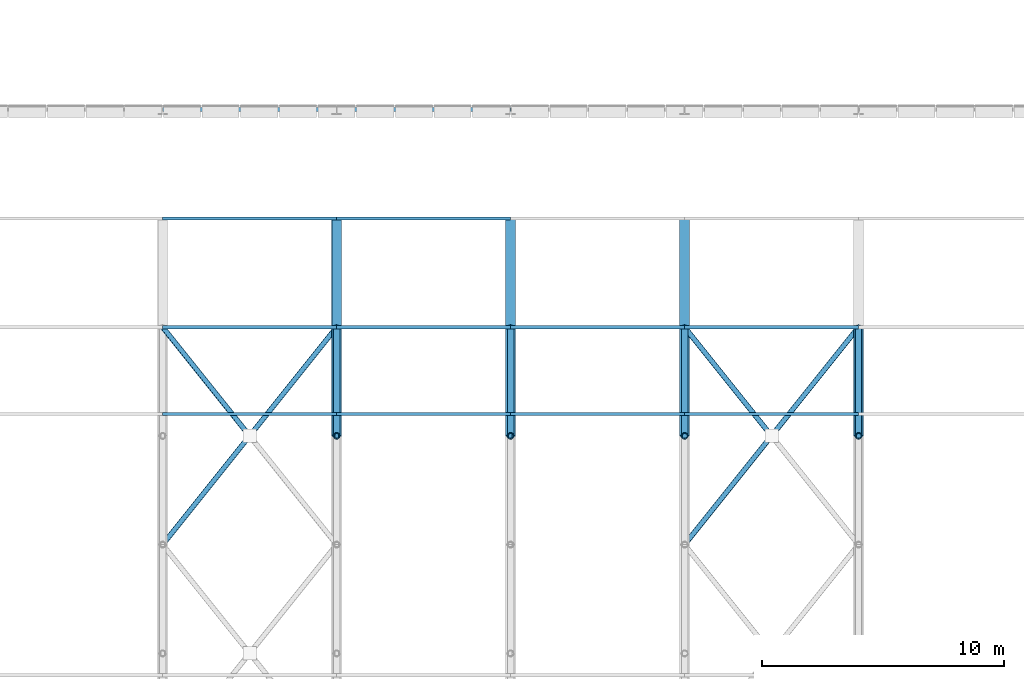
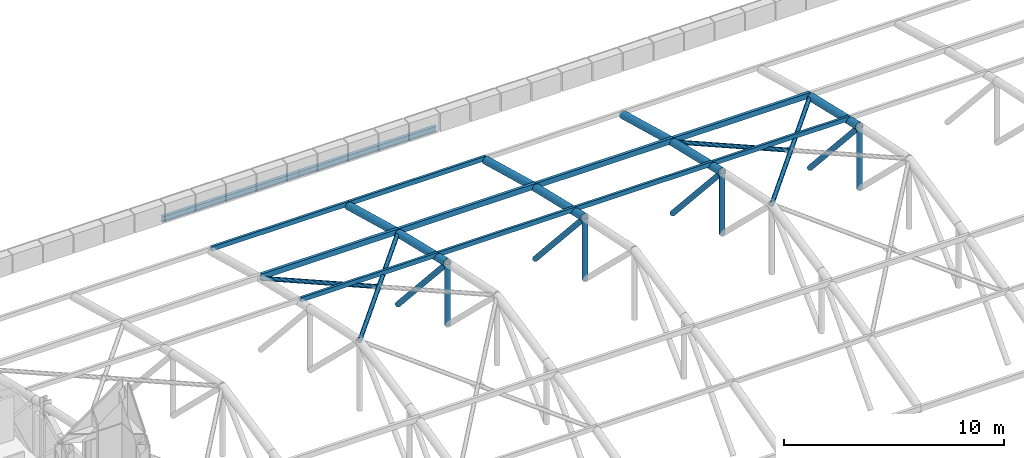
# One storey, part 29 of 96: 29 members, 2 beams.
"""IFC4 building model written with IfcOpenShell, lengths in metres."""

import ifcopenshell
import ifcopenshell.guid

model = None  # the IFC model being written
_history = None  # IfcOwnerHistory: only IFC2X3 demands one
_inside = {}  # id of a spatial element -> (the spatial element, [elements in it])
_under = {}  # id of a project, library or spatial element -> (it, [spatial elements below it])
_declared = {}  # id of a project -> (the project, [libraries it declares])
_typed = {}  # id of a type object -> (the type object, [elements of that type])
_made_of = {}  # id of a material, layer set ... -> (it, [elements and type objects made of it])


def new_model(schema):
    """Start an empty IFC model of exactly this schema.

    Asked for "IFC4X3", IfcOpenShell would pick the latest addendum, in which some entities
    have other attributes; the version numbers below select the first issue.
    IFC2X3 requires an IfcOwnerHistory on every rooted entity: one is made here for all.
    """
    global model, _history
    if schema == "IFC4X3":
        model = ifcopenshell.file(schema_version=(4, 3, 0, 0))
    else:
        model = ifcopenshell.file(schema=schema)
    _inside.clear()
    _under.clear()
    _declared.clear()
    _typed.clear()
    _made_of.clear()
    _history = None
    if model.schema == "IFC2X3":
        org = make("IfcOrganization", Name="unknown")
        user = make(
            "IfcPersonAndOrganization",
            ThePerson=make("IfcPerson", FamilyName="unknown"),
            TheOrganization=org,
        )
        app = make(
            "IfcApplication",
            ApplicationDeveloper=org,
            Version="unknown",
            ApplicationFullName="unknown",
            ApplicationIdentifier="unknown",
        )
        _history = make(
            "IfcOwnerHistory",
            OwningUser=user,
            OwningApplication=app,
            ChangeAction="ADDED",
            CreationDate=0,
        )
    return model


def make(cls, **values):
    """One entity of the class cls with the attributes given. An attribute that is None is left unset."""
    return model.create_entity(
        cls, **{name: value for name, value in values.items() if value is not None}
    )


def rooted(cls, **values):
    """An entity with a GlobalId (a new one), such as an element, a storey or a relation."""
    return make(cls, GlobalId=ifcopenshell.guid.new(), OwnerHistory=_history, **values)


def si_unit(unit_type, name, prefix=None):
    """IfcSIUnit, for example si_unit("LENGTHUNIT", "METRE", prefix="MILLI")."""
    return make("IfcSIUnit", UnitType=unit_type, Prefix=prefix, Name=name)


def assignment(units):
    """IfcUnitAssignment: the units of a project."""
    return None if units is None else make("IfcUnitAssignment", Units=units)


def point(xyz):
    """IfcCartesianPoint."""
    return None if xyz is None else make("IfcCartesianPoint", Coordinates=xyz)


def direction(xyz):
    """IfcDirection."""
    return None if xyz is None else make("IfcDirection", DirectionRatios=xyz)


def frame(location, z_axis=None, x_axis=None):
    """IfcAxis2Placement3D, a coordinate frame: its origin and axes. An axis left out is left unset."""
    return make(
        "IfcAxis2Placement3D",
        Location=point(location),
        Axis=direction(z_axis),
        RefDirection=direction(x_axis),
    )


def frame_2d(location, x_axis=None):
    """IfcAxis2Placement2D, a coordinate frame in the plane: its origin and x axis."""
    return make(
        "IfcAxis2Placement2D", Location=point(location), RefDirection=direction(x_axis)
    )


def origin():
    """The frame at (0, 0, 0) with its axes left unset."""
    return frame((0.0, 0.0, 0.0))


def origin_2d():
    """The frame at (0, 0) in the plane with its x axis left unset."""
    return frame_2d((0.0, 0.0))


def place(relative_to, where):
    """IfcLocalPlacement: puts the frame where relative to a parent placement (None: the world)."""
    return make(
        "IfcLocalPlacement", PlacementRelTo=relative_to, RelativePlacement=where
    )


def context(
    kind, dimensions, precision=None, world=None, true_north=None, identifier=None
):
    """IfcGeometricRepresentationContext, for example the 3D "Model" context."""
    return make(
        "IfcGeometricRepresentationContext",
        ContextIdentifier=identifier,
        ContextType=kind,
        CoordinateSpaceDimension=dimensions,
        Precision=precision,
        WorldCoordinateSystem=world,
        TrueNorth=true_north,
    )


def subcontext(parent, identifier, kind, view, scale=None):
    """IfcGeometricRepresentationSubContext, for example "Body" below "Model"."""
    return make(
        "IfcGeometricRepresentationSubContext",
        ContextIdentifier=identifier,
        ContextType=kind,
        ParentContext=parent,
        TargetScale=scale,
        TargetView=view,
    )


def project(units=None, contexts=None):
    """IfcProject with its units and contexts."""
    return rooted(
        "IfcProject",
        Name="project",
        RepresentationContexts=contexts,
        UnitsInContext=assignment(units),
    )


def spatial(cls, under=None, at=None, **own):
    """A site, building, storey or space (cls), placed at a placement, below another one or the project."""
    s = rooted(cls, ObjectPlacement=at, **own)
    if under is not None:
        _under.setdefault(under.id(), (under, []))[1].append(s)
    return s


def profile(cls, at=None, kind="AREA", **sizes):
    """A parametric profile (cls). Its sizes go by their IFC names, for example OverallWidth=200.0."""
    return make(cls, ProfileType=kind, Position=at, **sizes)


def hollow_rectangle(**sizes):
    """IfcRectangleHollowProfileDef."""
    return profile("IfcRectangleHollowProfileDef", **sizes)


def hollow_circle(**sizes):
    """IfcCircleHollowProfileDef."""
    return profile("IfcCircleHollowProfileDef", **sizes)


def i_section(**sizes):
    """IfcIShapeProfileDef."""
    return profile("IfcIShapeProfileDef", **sizes)


def extrude(swept, where, along, depth):
    """IfcExtrudedAreaSolid: the profile swept, set in the frame where, extruded along a direction by depth."""
    return make(
        "IfcExtrudedAreaSolid",
        SweptArea=swept,
        Position=where,
        ExtrudedDirection=direction(along),
        Depth=depth,
    )


def shape(context_of_items, identifier, shape_type, items):
    """IfcShapeRepresentation: the items that make up one representation, for example the "Body"."""
    return make(
        "IfcShapeRepresentation",
        ContextOfItems=context_of_items,
        RepresentationIdentifier=identifier,
        RepresentationType=shape_type,
        Items=items,
    )


def material(Name=None, Category=None):
    """IfcMaterial."""
    return make("IfcMaterial", Name=Name, Category=Category)


def material_profile(
    of_material, cross_section, Name=None, Category=None, Priority=None
):
    """IfcMaterialProfile: a cross section and its material."""
    return make(
        "IfcMaterialProfile",
        Name=Name,
        Material=of_material,
        Profile=cross_section,
        Priority=Priority,
        Category=Category,
    )


def profile_set(profiles, Name=None, composite=None):
    """IfcMaterialProfileSet."""
    return make(
        "IfcMaterialProfileSet",
        Name=Name,
        MaterialProfiles=profiles,
        CompositeProfile=composite,
    )


def made_of(thing, what):
    """Note that an element or type object is made of a material, layer set ...; save() writes the relation."""
    if what is not None:
        _made_of.setdefault(what.id(), (what, []))[1].append(thing)
    return thing


def type_object(cls, material=None, **own):
    """A type object (cls), such as IfcWallType, which elements share."""
    return made_of(rooted(cls, **own), material)


def element(
    cls,
    number,
    at=None,
    inside=None,
    cuts=None,
    type_object=None,
    material=None,
    context=None,
    identifier="Body",
    shape_type=None,
    held_by="IfcProductDefinitionShape",
    body=None,
    shapes=None,
    **own,
):
    """One element of the class cls, such as IfcWall. Its Tag is "e" and its number.

    at: its placement. inside: the storey or other place that contains it. cuts: it is an
    opening in that element (IfcRelVoidsElement). A single representation is given by context,
    identifier, shape_type and body (its items); several are given by shapes. held_by: the class
    of the entity that holds the representations. save() writes the other relations.
    """
    e = rooted(cls, Tag="e%d" % number, ObjectPlacement=at, **own)
    if body is not None:
        shapes = [shape(context, identifier, shape_type, body)]
    if shapes is not None:
        e.Representation = make(held_by, Representations=shapes)
    if inside is not None:
        _inside.setdefault(inside.id(), (inside, []))[1].append(e)
    if cuts is not None:
        rooted(
            "IfcRelVoidsElement", RelatingBuildingElement=cuts, RelatedOpeningElement=e
        )
    if type_object is not None:
        _typed.setdefault(type_object.id(), (type_object, []))[1].append(e)
    return made_of(e, material)


def aggregate(whole, parts):
    """IfcRelAggregates: a whole, such as a stair, and the parts it consists of."""
    return rooted("IfcRelAggregates", RelatingObject=whole, RelatedObjects=parts)


def save(model, path):
    """Write the relations noted so far, then the file.

    IfcRelAggregates (storeys below a building ...), IfcRelContainedInSpatialStructure (elements
    in a storey), IfcRelDefinesByType, IfcRelAssociatesMaterial and IfcRelDeclares: one each for
    every whole, place, type object, material and project.
    """
    for whole, parts in _under.values():
        aggregate(whole, parts)
    for where, things in _inside.values():
        rooted(
            "IfcRelContainedInSpatialStructure",
            RelatedElements=things,
            RelatingStructure=where,
        )
    for kind, things in _typed.values():
        rooted("IfcRelDefinesByType", RelatedObjects=things, RelatingType=kind)
    for what, things in _made_of.values():
        rooted("IfcRelAssociatesMaterial", RelatedObjects=things, RelatingMaterial=what)
    for by, libraries in _declared.values():
        rooted("IfcRelDeclares", RelatingContext=by, RelatedDefinitions=libraries)
    model.write(path)


model = new_model("IFC4")

# Units and contexts
model_context = context("Model", 3, precision=1e-05, world=origin(), true_north=direction((0.0, 1.0)))
body_context = subcontext(model_context, "Body", "Model", "MODEL_VIEW")
ifc_project = project(units=[si_unit("LENGTHUNIT", "METRE"), si_unit("AREAUNIT", "SQUARE_METRE"), si_unit("VOLUMEUNIT", "CUBIC_METRE"), si_unit("PLANEANGLEUNIT", "RADIAN"), si_unit("MASSUNIT", "GRAM", prefix="KILO")], contexts=[model_context])

# Site, building, storey
site_placement = place(None, origin())
site = spatial("IfcSite", under=ifc_project, at=site_placement, CompositionType="ELEMENT")
building_placement = place(site_placement, origin())
building = spatial("IfcBuilding", under=site, at=building_placement, Name="Yarey Park Central Fire Station", CompositionType="ELEMENT")
storey_placement = place(building_placement, frame((0.0, 0.0, 14.39990234375)))
storey = spatial("IfcBuildingStorey", under=building, at=storey_placement, Name="L04", CompositionType="ELEMENT", Elevation=14.39990234375)

# Members
ifc_material_1 = material(Name="Steel ASTM A500 Gr. C", Category="steel")
ifc_material_profile_1 = material_profile(ifc_material_1, hollow_circle(Radius=0.109619140625, WallThickness=0.010009765625, at=origin_2d()), Name="CHS 219.1x10")
ifc_profile_set_1 = profile_set([ifc_material_profile_1], Name="Steel ASTM A500 Gr. C")
member_type_1 = type_object("IfcMemberType", Name="STR_BRC_CHS219", PredefinedType="BRACE", material=ifc_profile_set_1)
member_1_placement = place(storey_placement, frame((72.0, 75.60009765625, 3.93603515625), z_axis=(0.615531741105, 0.769419894344, -0.170627377286), x_axis=(-0.780870876022, 0.624692464322, 0.0)))
element("IfcMember", 1, at=member_1_placement, inside=storey, type_object=member_type_1, Name="XBR_ARCH_B03_75_1", PredefinedType="BRACE", context=body_context, shape_type="SweptSolid", body=[
    extrude(hollow_circle(Radius=0.109619140625, WallThickness=0.010009765625, at=origin_2d()), origin(), (0.0, 0.0, 1.0), 11.697021484375),
])
member_2_placement = place(storey_placement, frame((75.60009765625, 80.10009765625, 2.93798828125), z_axis=(-0.61554689676, 0.769412749293, -0.170604921135), x_axis=(-0.780860543151, -0.624705380279, 0.0)))
element("IfcMember", 2, at=member_2_placement, inside=storey, type_object=member_type_1, Name="XBR_ARCH_B03_75_2B", PredefinedType="BRACE", context=body_context, shape_type="SweptSolid", body=[
    extrude(hollow_circle(Radius=0.109619140625, WallThickness=0.010009765625, at=origin_2d()), origin(), (0.0, 0.0, 1.0), 5.8486328125),
])
member_3_placement = place(storey_placement, frame((93.60009765625, 75.60009765625, 3.93603515625), z_axis=(0.615531741105, 0.769419894344, -0.170627377286), x_axis=(-0.780870876022, 0.624692464322, 0.0)))
element("IfcMember", 3, at=member_3_placement, inside=storey, type_object=member_type_1, Name="XBR_ARCH_B06_75_1", PredefinedType="BRACE", context=body_context, shape_type="SweptSolid", body=[
    extrude(hollow_circle(Radius=0.109619140625, WallThickness=0.010009765625, at=origin_2d()), origin(), (0.0, 0.0, 1.0), 11.697021484375),
])
member_4_placement = place(storey_placement, frame((97.199951171875, 80.10009765625, 2.93798828125), z_axis=(-0.615520968904, 0.76943251942, -0.170609304843), x_axis=(-0.780881208953, -0.624679547852, 0.0)))
element("IfcMember", 4, at=member_4_placement, inside=storey, type_object=member_type_1, Name="XBR_ARCH_B06_75_2B", PredefinedType="BRACE", context=body_context, shape_type="SweptSolid", body=[
    extrude(hollow_circle(Radius=0.109619140625, WallThickness=0.010009765625, at=origin_2d()), origin(), (0.0, 0.0, 1.0), 5.848388671875),
])
ifc_material_profile_2 = material_profile(ifc_material_1, hollow_circle(Radius=0.203125, WallThickness=0.01611328125, at=origin_2d()), Name="CHS 406.4x16")
ifc_profile_set_2 = profile_set([ifc_material_profile_2], Name="Steel ASTM A500 Gr. C")
member_type_2 = type_object("IfcMemberType", Name="STR_CHORD_CHS406", PredefinedType="CHORD", material=ifc_profile_set_2)
member_5_placement = place(storey_placement, frame((79.199951171875, 80.10009765625, 2.99609375), z_axis=(0.0, 0.97355760432, -0.228441657915), x_axis=(-1.0, 0.0, 0.0)))
element("IfcMember", 5, at=member_5_placement, inside=storey, type_object=member_type_2, Name="Arched Roof Truss ART_04 Top Chord 6", PredefinedType="CHORD", context=body_context, shape_type="SweptSolid", body=[
    extrude(hollow_circle(Radius=0.203125, WallThickness=0.01611328125, at=origin_2d()), origin(), (0.0, 0.0, 1.0), 4.622314453125),
])
member_6_placement = place(storey_placement, frame((79.199951171875, 84.60009765625, 1.940185546875), z_axis=(0.0, 0.965014687101, -0.262195830783), x_axis=(-1.0, 0.0, 0.0)))
element("IfcMember", 6, at=member_6_placement, inside=storey, type_object=member_type_2, Name="Arched Roof Truss ART_04 Top Chord 7", PredefinedType="CHORD", context=body_context, shape_type="SweptSolid", body=[
    extrude(hollow_circle(Radius=0.203125, WallThickness=0.01611328125, at=origin_2d()), origin(), (0.0, 0.0, 1.0), 4.6630859375),
])
member_7_placement = place(storey_placement, frame((86.39990234375, 80.10009765625, 2.99609375), z_axis=(0.0, 0.97355760432, -0.228441657915), x_axis=(-1.0, 0.0, 0.0)))
element("IfcMember", 7, at=member_7_placement, inside=storey, type_object=member_type_2, Name="Arched Roof Truss ART_05 Top Chord 6", PredefinedType="CHORD", context=body_context, shape_type="SweptSolid", body=[
    extrude(hollow_circle(Radius=0.203125, WallThickness=0.01611328125, at=origin_2d()), origin(), (0.0, 0.0, 1.0), 4.622314453125),
])
member_8_placement = place(storey_placement, frame((86.39990234375, 84.60009765625, 1.940185546875), z_axis=(0.0, 0.965014687101, -0.262195830783), x_axis=(-1.0, 0.0, 0.0)))
element("IfcMember", 8, at=member_8_placement, inside=storey, type_object=member_type_2, Name="Arched Roof Truss ART_05 Top Chord 7", PredefinedType="CHORD", context=body_context, shape_type="SweptSolid", body=[
    extrude(hollow_circle(Radius=0.203125, WallThickness=0.01611328125, at=origin_2d()), origin(), (0.0, 0.0, 1.0), 4.6630859375),
])
member_9_placement = place(storey_placement, frame((93.60009765625, 80.10009765625, 2.99609375), z_axis=(0.0, 0.97355760432, -0.228441657915), x_axis=(-1.0, 0.0, 0.0)))
element("IfcMember", 9, at=member_9_placement, inside=storey, type_object=member_type_2, Name="Arched Roof Truss ART_06 Top Chord 6", PredefinedType="CHORD", context=body_context, shape_type="SweptSolid", body=[
    extrude(hollow_circle(Radius=0.203125, WallThickness=0.01611328125, at=origin_2d()), origin(), (0.0, 0.0, 1.0), 4.622314453125),
])
member_10_placement = place(storey_placement, frame((93.60009765625, 84.60009765625, 1.940185546875), z_axis=(0.0, 0.965014687101, -0.262195830783), x_axis=(-1.0, 0.0, 0.0)))
element("IfcMember", 10, at=member_10_placement, inside=storey, type_object=member_type_2, Name="Arched Roof Truss ART_06 Top Chord 7", PredefinedType="CHORD", context=body_context, shape_type="SweptSolid", body=[
    extrude(hollow_circle(Radius=0.203125, WallThickness=0.01611328125, at=origin_2d()), origin(), (0.0, 0.0, 1.0), 4.6630859375),
])
member_11_placement = place(storey_placement, frame((100.800048828125, 80.10009765625, 2.99609375), z_axis=(0.0, 0.97355760432, -0.228441657915), x_axis=(-1.0, 0.0, 0.0)))
element("IfcMember", 11, at=member_11_placement, inside=storey, type_object=member_type_2, Name="Arched Roof Truss ART_07 Top Chord 6", PredefinedType="CHORD", context=body_context, shape_type="SweptSolid", body=[
    extrude(hollow_circle(Radius=0.203125, WallThickness=0.01611328125, at=origin_2d()), origin(), (0.0, 0.0, 1.0), 4.622314453125),
])
ifc_material_profile_3 = material_profile(ifc_material_1, hollow_rectangle(XDim=0.125, YDim=0.25, WallThickness=0.008056640625, at=origin_2d()), Name="HSS 250x125x8")
ifc_profile_set_3 = profile_set([ifc_material_profile_3], Name="Steel ASTM A500 Gr. C")
member_type_3 = type_object("IfcMemberType", Name="STR_GIRT_HSS250", PredefinedType="PURLIN", material=ifc_profile_set_3)
for number, where, z_axis, x_axis, name in (
    (12, (72.0, 81.0, 2.947021484375), (1.0, 0.0, 0.0), (0.0, 1.0, 0.0), "PUR_ARCH_B03_6"),
    (13, (72.0, 89.10009765625, 0.856689453125), (1.0, 0.0, 0.0), (0.0, 1.0, 0.0), "PUR_ARCH_B03_8"),
    (14, (79.199951171875, 81.0, 2.947021484375), (1.0, 0.0, 0.0), (0.0, 1.0, 0.0), "PUR_ARCH_B04_6"),
    (15, (79.199951171875, 89.10009765625, 0.856689453125), (1.0, 0.0, 0.0), (0.0, 1.0, 0.0), "PUR_ARCH_B04_8"),
):
    element("IfcMember", number, at=place(storey_placement, frame(where, z_axis=z_axis, x_axis=x_axis)), inside=storey, type_object=member_type_3, Name=name, PredefinedType="PURLIN", context=body_context, shape_type="SweptSolid", body=[
        extrude(hollow_rectangle(XDim=0.125, YDim=0.25, WallThickness=0.008056640625, at=origin_2d()), origin(), (0.0, 0.0, 1.0), 7.199951171875),
    ])
member_12_placement = place(storey_placement, frame((86.39990234375, 81.0, 2.947021484375), z_axis=(1.0, 0.0, 0.0), x_axis=(0.0, 1.0, 0.0)))
element("IfcMember", 16, at=member_12_placement, inside=storey, type_object=member_type_3, Name="PUR_ARCH_B05_6", PredefinedType="PURLIN", context=body_context, shape_type="SweptSolid", body=[
    extrude(hollow_rectangle(XDim=0.125, YDim=0.25, WallThickness=0.008056640625, at=origin_2d()), origin(), (0.0, 0.0, 1.0), 7.2001953125),
])
member_13_placement = place(storey_placement, frame((93.60009765625, 81.0, 2.947021484375), z_axis=(1.0, 0.0, 0.0), x_axis=(0.0, 1.0, 0.0)))
element("IfcMember", 17, at=member_13_placement, inside=storey, type_object=member_type_3, Name="PUR_ARCH_B06_6", PredefinedType="PURLIN", context=body_context, shape_type="SweptSolid", body=[
    extrude(hollow_rectangle(XDim=0.125, YDim=0.25, WallThickness=0.008056640625, at=origin_2d()), origin(), (0.0, 0.0, 1.0), 7.199951171875),
])
ifc_material_profile_4 = material_profile(ifc_material_1, hollow_rectangle(XDim=0.14990234375, YDim=0.300048828125, WallThickness=0.010009765625, at=origin_2d()), Name="HSS 300x150x10")
ifc_profile_set_4 = profile_set([ifc_material_profile_4], Name="Steel ASTM A500 Gr. C")
member_type_4 = type_object("IfcMemberType", Name="STR_PUR_HSS300", PredefinedType="PURLIN", material=ifc_profile_set_4)
for number, where, z_axis, x_axis, name in (
    (18, (72.0, 84.60009765625, 2.05419921875), (1.0, 0.0, 0.0), (0.0, 1.0, 0.0), "PUR_ARCH_B03_7"),
    (19, (79.199951171875, 84.60009765625, 2.05419921875), (1.0, 0.0, 0.0), (0.0, 1.0, 0.0), "PUR_ARCH_B04_7"),
):
    element("IfcMember", number, at=place(storey_placement, frame(where, z_axis=z_axis, x_axis=x_axis)), inside=storey, type_object=member_type_4, Name=name, PredefinedType="PURLIN", context=body_context, shape_type="SweptSolid", body=[
        extrude(hollow_rectangle(XDim=0.14990234375, YDim=0.300048828125, WallThickness=0.010009765625, at=origin_2d()), origin(), (0.0, 0.0, 1.0), 7.199951171875),
    ])
member_14_placement = place(storey_placement, frame((86.39990234375, 84.60009765625, 2.05419921875), z_axis=(1.0, 0.0, 0.0), x_axis=(0.0, 1.0, 0.0)))
element("IfcMember", 20, at=member_14_placement, inside=storey, type_object=member_type_4, Name="PUR_ARCH_B05_7", PredefinedType="PURLIN", context=body_context, shape_type="SweptSolid", body=[
    extrude(hollow_rectangle(XDim=0.14990234375, YDim=0.300048828125, WallThickness=0.010009765625, at=origin_2d()), origin(), (0.0, 0.0, 1.0), 7.2001953125),
])
member_15_placement = place(storey_placement, frame((93.60009765625, 84.60009765625, 2.05419921875), z_axis=(1.0, 0.0, 0.0), x_axis=(0.0, 1.0, 0.0)))
element("IfcMember", 21, at=member_15_placement, inside=storey, type_object=member_type_4, Name="PUR_ARCH_B06_7", PredefinedType="PURLIN", context=body_context, shape_type="SweptSolid", body=[
    extrude(hollow_rectangle(XDim=0.14990234375, YDim=0.300048828125, WallThickness=0.010009765625, at=origin_2d()), origin(), (0.0, 0.0, 1.0), 7.199951171875),
])

# Beams
ifc_material_2 = material(Name="Steel ASTM A992 Gr. 50", Category="steel")
ifc_material_profile_5 = material_profile(ifc_material_2, i_section(OverallWidth=0.1650390625, OverallDepth=0.31005859375, WebThickness=0.005859375, FlangeThickness=0.009765625, at=origin_2d()), Name="W310x39")
ifc_profile_set_5 = profile_set([ifc_material_profile_5], Name="Steel ASTM A992 Gr. 50")
beam_type = type_object("IfcBeamType", Name="STR_SPN_W310", PredefinedType="SPANDREL", material=ifc_profile_set_5)
for number, where, z_axis, x_axis, name in (
    (22, (72.0, 93.60009765625, -0.23486328125), (1.0, 0.0, 0.0), (0.0, 1.0, 0.0), "V2 BOX GIRT N M2 03"),
    (23, (79.199951171875, 93.60009765625, -0.23486328125), (1.0, 0.0, 0.0), (0.0, 1.0, 0.0), "V2 BOX GIRT N M2 04"),
):
    element("IfcBeam", number, at=place(storey_placement, frame(where, z_axis=z_axis, x_axis=x_axis)), inside=storey, type_object=beam_type, Name=name, PredefinedType="SPANDREL", context=body_context, shape_type="SweptSolid", body=[
        extrude(i_section(OverallWidth=0.1650390625, OverallDepth=0.31005859375, WebThickness=0.005859375, FlangeThickness=0.009765625, at=origin_2d()), origin(), (0.0, 0.0, 1.0), 7.199951171875),
    ])

# Members
ifc_material_profile_6 = material_profile(ifc_material_1, hollow_circle(Radius=0.136474609375, WallThickness=0.012451171875, at=origin_2d()), Name="CHS 273x12.5")
ifc_profile_set_6 = profile_set([ifc_material_profile_6], Name="Steel ASTM A500 Gr. C")
member_type_5 = type_object("IfcMemberType", Name="STR_WEB_CHS273", PredefinedType="BRACE", material=ifc_profile_set_6)
member_16_placement = place(storey_placement, frame((79.199951171875, 80.10009765625, 2.99609375), z_axis=(0.0, 0.667414870686, -0.744686101916), x_axis=(-1.0, 0.0, 0.0)))
element("IfcMember", 24, at=member_16_placement, inside=storey, type_object=member_type_5, Name="Arched Roof Truss ART_04 Diagonal 6", PredefinedType="BRACE", context=body_context, shape_type="SweptSolid", body=[
    extrude(hollow_circle(Radius=0.136474609375, WallThickness=0.012451171875, at=origin_2d()), origin(), (0.0, 0.0, 1.0), 6.742431640625),
])
member_17_placement = place(storey_placement, frame((79.199951171875, 80.10009765625, -0.43115234375), z_axis=(0.0, 0.0, 1.0), x_axis=(1.0, 0.0, 0.0)))
element("IfcMember", 25, at=member_17_placement, inside=storey, type_object=member_type_5, Name="Arched Roof Truss ART_04 Vertical 6", PredefinedType="BRACE", context=body_context, shape_type="SweptSolid", body=[
    extrude(hollow_circle(Radius=0.136474609375, WallThickness=0.012451171875, at=origin_2d()), origin(), (0.0, 0.0, 1.0), 3.42724609375),
])
member_18_placement = place(storey_placement, frame((86.39990234375, 80.10009765625, 2.99609375), z_axis=(0.0, 0.667414870686, -0.744686101916), x_axis=(-1.0, 0.0, 0.0)))
element("IfcMember", 26, at=member_18_placement, inside=storey, type_object=member_type_5, Name="Arched Roof Truss ART_05 Diagonal 6", PredefinedType="BRACE", context=body_context, shape_type="SweptSolid", body=[
    extrude(hollow_circle(Radius=0.136474609375, WallThickness=0.012451171875, at=origin_2d()), origin(), (0.0, 0.0, 1.0), 6.742431640625),
])
member_19_placement = place(storey_placement, frame((86.39990234375, 80.10009765625, -0.43115234375), z_axis=(0.0, 0.0, 1.0), x_axis=(1.0, 0.0, 0.0)))
element("IfcMember", 27, at=member_19_placement, inside=storey, type_object=member_type_5, Name="Arched Roof Truss ART_05 Vertical 6", PredefinedType="BRACE", context=body_context, shape_type="SweptSolid", body=[
    extrude(hollow_circle(Radius=0.136474609375, WallThickness=0.012451171875, at=origin_2d()), origin(), (0.0, 0.0, 1.0), 3.42724609375),
])
member_20_placement = place(storey_placement, frame((93.60009765625, 80.10009765625, 2.99609375), z_axis=(0.0, 0.667414870686, -0.744686101916), x_axis=(-1.0, 0.0, 0.0)))
element("IfcMember", 28, at=member_20_placement, inside=storey, type_object=member_type_5, Name="Arched Roof Truss ART_06 Diagonal 6", PredefinedType="BRACE", context=body_context, shape_type="SweptSolid", body=[
    extrude(hollow_circle(Radius=0.136474609375, WallThickness=0.012451171875, at=origin_2d()), origin(), (0.0, 0.0, 1.0), 6.742431640625),
])
member_21_placement = place(storey_placement, frame((93.60009765625, 80.10009765625, -0.43115234375), z_axis=(0.0, 0.0, 1.0), x_axis=(1.0, 0.0, 0.0)))
element("IfcMember", 29, at=member_21_placement, inside=storey, type_object=member_type_5, Name="Arched Roof Truss ART_06 Vertical 6", PredefinedType="BRACE", context=body_context, shape_type="SweptSolid", body=[
    extrude(hollow_circle(Radius=0.136474609375, WallThickness=0.012451171875, at=origin_2d()), origin(), (0.0, 0.0, 1.0), 3.42724609375),
])
member_22_placement = place(storey_placement, frame((100.800048828125, 80.10009765625, 2.99609375), z_axis=(0.0, 0.667414870686, -0.744686101916), x_axis=(-1.0, 0.0, 0.0)))
element("IfcMember", 30, at=member_22_placement, inside=storey, type_object=member_type_5, Name="Arched Roof Truss ART_07 Diagonal 6", PredefinedType="BRACE", context=body_context, shape_type="SweptSolid", body=[
    extrude(hollow_circle(Radius=0.136474609375, WallThickness=0.012451171875, at=origin_2d()), origin(), (0.0, 0.0, 1.0), 6.742431640625),
])
member_23_placement = place(storey_placement, frame((100.800048828125, 80.10009765625, -0.43115234375), z_axis=(0.0, 0.0, 1.0), x_axis=(1.0, 0.0, 0.0)))
element("IfcMember", 31, at=member_23_placement, inside=storey, type_object=member_type_5, Name="Arched Roof Truss ART_07 Vertical 6", PredefinedType="BRACE", context=body_context, shape_type="SweptSolid", body=[
    extrude(hollow_circle(Radius=0.136474609375, WallThickness=0.012451171875, at=origin_2d()), origin(), (0.0, 0.0, 1.0), 3.42724609375),
])

save(model, "model.ifc")
